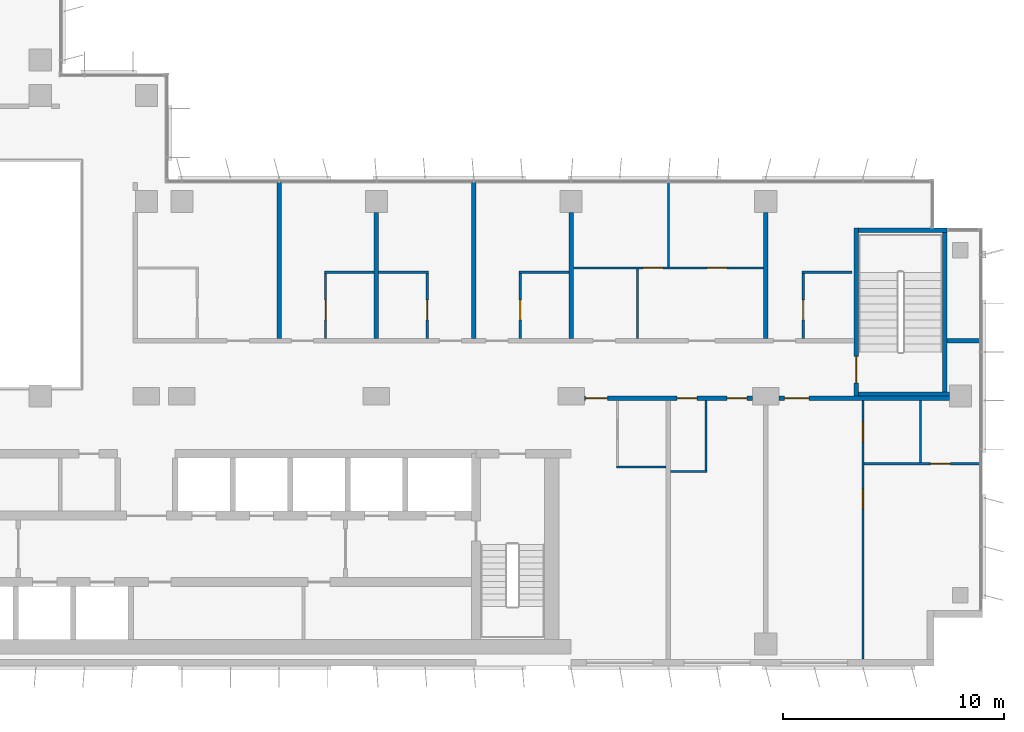
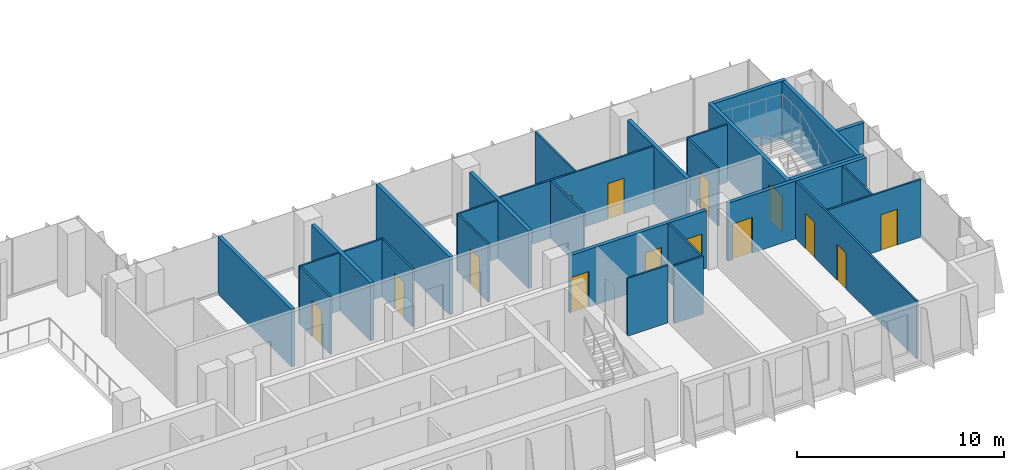
# One storey, part 15 of 21: 29 walls, 14 doors, 14 openings.
"""IFC4 building model written with IfcOpenShell, lengths in metres."""

from ifc_helpers import new_model, si_unit, direction, frame, frame_2d, origin, place, context, subcontext, project, spatial, rectangle, extrude, material, layer, layer_set, type_object, element, fill, save


model = new_model("IFC4")

# Units and contexts
model_context = context("Model", 3, precision=1e-05, world=origin(), true_north=direction((0.0, 1.0)))
body_context = subcontext(model_context, "Body", "Model", "MODEL_VIEW")
ifc_project = project(units=[si_unit("LENGTHUNIT", "METRE"), si_unit("AREAUNIT", "SQUARE_METRE"), si_unit("VOLUMEUNIT", "CUBIC_METRE"), si_unit("PLANEANGLEUNIT", "RADIAN"), si_unit("MASSUNIT", "GRAM", prefix="KILO")], contexts=[model_context])

# Site, building, storey
site_placement = place(None, origin())
site = spatial("IfcSite", under=ifc_project, at=site_placement, CompositionType="ELEMENT")
building_placement = place(site_placement, origin())
building = spatial("IfcBuilding", under=site, at=building_placement, Name="Kemantara Hotel Tower", CompositionType="ELEMENT")
storey_placement = place(building_placement, frame((0.0, 0.0, 211.699951171875)))
storey = spatial("IfcBuildingStorey", under=building, at=storey_placement, Name="L52", CompositionType="ELEMENT", Elevation=211.699951171875)

# Wall, openings, doors
ifc_material_1 = material(Name="Gypsum board partition, steel studs and mineral wool, 200 mm", Category="steel")
ifc_layer_1 = layer(ifc_material_1, 0.199951171875)
ifc_layer_set_1 = layer_set([ifc_layer_1], Name="Gypsum board partition, steel studs and mineral wool, 200 mm")
wall_type_1 = type_object("IfcWallType", Name="CORRIDOR WALL 200", PredefinedType="PARTITIONING", material=ifc_layer_set_1)
wall_1_placement = place(storey_placement, frame((53.199951171875, 12.10009765625, 0.0), z_axis=(0.0, 0.0, 1.0), x_axis=(-1.0, 0.0, 0.0)))
wall_1 = element("IfcWall", 1, at=wall_1_placement, inside=storey, type_object=wall_type_1, Name="CORRIDOR WALL 200 001", PredefinedType="PARTITIONING", context=body_context, shape_type="SweptSolid", body=[
    extrude(rectangle(XDim=7.599853515625, YDim=0.199951171875, at=frame_2d((3.7998046875, 0.0))), origin(), (0.0, 0.0, 1.0), 3.400146484375),
])
opening_1_placement = place(wall_1_placement, frame((6.5498046875, 0.0, 0.0)))
opening_1 = element("IfcOpeningElement", 2, at=opening_1_placement, cuts=wall_1, Name="Opening F25-001", PredefinedType="OPENING", context=body_context, shape_type="SweptSolid", body=[
    extrude(rectangle(XDim=1.0, YDim=2.10009765625, at=frame_2d((0.5, 1.050048828125))), frame((0.0, 0.10986328125, 0.0), z_axis=(0.0, -1.0, 0.0), x_axis=(1.0, 0.0, 0.0)), (0.0, 0.0, 1.0), 0.219970703125),
])
opening_2_placement = place(wall_1_placement, frame((0.25, 0.0, 0.0)))
opening_2 = element("IfcOpeningElement", 3, at=opening_2_placement, cuts=wall_1, Name="Opening F25-003", PredefinedType="OPENING", context=body_context, shape_type="SweptSolid", body=[
    extrude(rectangle(XDim=0.89990234375, YDim=2.10009765625, at=frame_2d((0.449951171875, 1.050048828125))), frame((0.0, 0.10986328125, 0.0), z_axis=(0.0, -1.0, 0.0), x_axis=(1.0, 0.0, 0.0)), (0.0, 0.0, 1.0), 0.219970703125),
])
opening_3_placement = place(wall_1_placement, frame((2.5, 0.0, 0.0)))
opening_3 = element("IfcOpeningElement", 4, at=opening_3_placement, cuts=wall_1, Name="Opening F25-004", PredefinedType="OPENING", context=body_context, shape_type="SweptSolid", body=[
    extrude(rectangle(XDim=0.89990234375, YDim=2.10009765625, at=frame_2d((0.449951171875, 1.050048828125))), frame((0.0, 0.10986328125, 0.0), z_axis=(0.0, -1.0, 0.0), x_axis=(1.0, 0.0, 0.0)), (0.0, 0.0, 1.0), 0.219970703125),
])
ifc_material_2 = material(Name="Hardwood veneer door leaf with steel frame", Category="steel")
door_type_1 = type_object("IfcDoorType", Name="GUEST ROOM DOOR 1000 X 2100 FD30S", OperationType="NOTDEFINED", PredefinedType="DOOR", material=ifc_material_2)
door_1_placement = place(opening_1_placement, origin())
door_1 = element("IfcDoor", 5, at=door_1_placement, inside=storey, type_object=door_type_1, Name="GUEST ROOM DOOR F25-001", OperationType="SINGLE_SWING_RIGHT", OverallHeight=2.10009765625, OverallWidth=1.0, PredefinedType="DOOR", context=body_context, shape_type="SweptSolid", body=[
    extrude(rectangle(XDim=1.0, YDim=2.10009765625, at=frame_2d((0.5, 1.050048828125))), frame((0.0, 0.02490234375, 0.0), z_axis=(0.0, -1.0, 0.0), x_axis=(1.0, 0.0, 0.0)), (0.0, 0.0, 1.0), 0.050048828125),
])
fill(opening_1, door_1)
ifc_material_3 = material(Name="Steel door leaf with steel frame", Category="steel")
door_type_2 = type_object("IfcDoorType", Name="SERVICE ROOM DOOR 900 X 2100 FD60", OperationType="NOTDEFINED", PredefinedType="DOOR", material=ifc_material_3)
door_2_placement = place(opening_2_placement, origin())
door_2 = element("IfcDoor", 6, at=door_2_placement, inside=storey, type_object=door_type_2, Name="SERVICE ROOM DOOR F25-003", OperationType="SINGLE_SWING_LEFT", OverallHeight=2.10009765625, OverallWidth=0.89990234375, PredefinedType="DOOR", context=body_context, shape_type="SweptSolid", body=[
    extrude(rectangle(XDim=0.89990234375, YDim=2.10009765625, at=frame_2d((0.449951171875, 1.050048828125))), frame((0.0, 0.02490234375, 0.0), z_axis=(0.0, -1.0, 0.0), x_axis=(1.0, 0.0, 0.0)), (0.0, 0.0, 1.0), 0.050048828125),
])
fill(opening_2, door_2)
door_3_placement = place(opening_3_placement, origin())
door_3 = element("IfcDoor", 7, at=door_3_placement, inside=storey, type_object=door_type_2, Name="SERVICE ROOM DOOR F25-004", OperationType="SINGLE_SWING_RIGHT", OverallHeight=2.10009765625, OverallWidth=0.89990234375, PredefinedType="DOOR", context=body_context, shape_type="SweptSolid", body=[
    extrude(rectangle(XDim=0.89990234375, YDim=2.10009765625, at=frame_2d((0.449951171875, 1.050048828125))), frame((0.0, 0.02490234375, 0.0), z_axis=(0.0, -1.0, 0.0), x_axis=(1.0, 0.0, 0.0)), (0.0, 0.0, 1.0), 0.050048828125),
])
fill(opening_3, door_3)

# Wall, opening, door
wall_2_placement = place(storey_placement, frame((62.099853515625, 12.10009765625, 0.0), z_axis=(0.0, 0.0, 1.0), x_axis=(-1.0, 0.0, 0.0)))
wall_2 = element("IfcWall", 8, at=wall_2_placement, inside=storey, type_object=wall_type_1, Name="CORRIDOR WALL 200 002", PredefinedType="PARTITIONING", context=body_context, shape_type="SweptSolid", body=[
    extrude(rectangle(XDim=7.69970703125, YDim=0.199951171875, at=frame_2d((3.849853515625, 0.0))), origin(), (0.0, 0.0, 1.0), 3.400146484375),
])
opening_4_placement = place(wall_2_placement, frame((6.349853515625, 0.0, 0.0)))
opening_4 = element("IfcOpeningElement", 9, at=opening_4_placement, cuts=wall_2, Name="Opening F25-005", PredefinedType="OPENING", context=body_context, shape_type="SweptSolid", body=[
    extrude(rectangle(XDim=1.10009765625, YDim=2.10009765625, at=frame_2d((0.550048828125, 1.050048828125))), frame((0.0, 0.10986328125, 0.0), z_axis=(0.0, -1.0, 0.0), x_axis=(1.0, 0.0, 0.0)), (0.0, 0.0, 1.0), 0.219970703125),
])
door_type_3 = type_object("IfcDoorType", Name="SUITE ENTRANCE DOOR 1100 X 2100 FD30S", OperationType="NOTDEFINED", PredefinedType="DOOR", material=ifc_material_2)
door_4_placement = place(opening_4_placement, origin())
door_4 = element("IfcDoor", 10, at=door_4_placement, inside=storey, type_object=door_type_3, Name="SUITE ENTRANCE DOOR F25-005", OperationType="SINGLE_SWING_RIGHT", OverallHeight=2.10009765625, OverallWidth=1.10009765625, PredefinedType="DOOR", context=body_context, shape_type="SweptSolid", body=[
    extrude(rectangle(XDim=1.10009765625, YDim=2.10009765625, at=frame_2d((0.550048828125, 1.050048828125))), frame((0.0, 0.02490234375, 0.0), z_axis=(0.0, -1.0, 0.0), x_axis=(1.0, 0.0, 0.0)), (0.0, 0.0, 1.0), 0.050048828125),
])
fill(opening_4, door_4)

# Wall
wall_3_placement = place(storey_placement, frame((62.0, 14.699951171875, 0.0), z_axis=(0.0, 0.0, 1.0), x_axis=(1.0, 0.0, 0.0)))
element("IfcWall", 11, at=wall_3_placement, inside=storey, type_object=wall_type_1, Name="CORRIDOR WALL 200 007", PredefinedType="PARTITIONING", context=body_context, shape_type="SweptSolid", body=[
    extrude(rectangle(XDim=1.47998046875, YDim=0.199951171875, at=frame_2d((0.739990234375, 0.0))), origin(), (0.0, 0.0, 1.0), 3.400146484375),
])

# Wall, opening, door
ifc_material_4 = material(Name="Concrete fc 40 MPa", Category="concrete")
ifc_layer_2 = layer(ifc_material_4, 0.199951171875)
ifc_layer_set_2 = layer_set([ifc_layer_2], Name="Concrete fc 40 MPa")
wall_type_2 = type_object("IfcWallType", Name="Concrete stair wall 200 mm", PredefinedType="SHEAR", material=ifc_layer_set_2)
wall_4_placement = place(storey_placement, frame((57.89990234375, 12.199951171875, 0.0), z_axis=(0.0, 0.0, 1.0), x_axis=(0.0, 1.0, 0.0)))
wall_4 = element("IfcWall", 12, at=wall_4_placement, inside=storey, type_object=wall_type_2, Name="Stair ST3 enclosure wall with door", PredefinedType="SHEAR", context=body_context, shape_type="SweptSolid", body=[
    extrude(rectangle(XDim=7.60009765625, YDim=0.199951171875, at=frame_2d((3.800048828125, 0.0))), origin(), (0.0, 0.0, 1.0), 3.400146484375),
])
opening_5_placement = place(wall_4_placement, frame((0.60009765625, 0.0, 0.0)))
opening_5 = element("IfcOpeningElement", 13, at=opening_5_placement, cuts=wall_4, Name="Opening ST3-C", PredefinedType="OPENING", context=body_context, shape_type="SweptSolid", body=[
    extrude(rectangle(XDim=1.199951171875, YDim=2.10009765625, at=frame_2d((0.60009765625, 1.050048828125))), frame((0.0, 0.10986328125, 0.0), z_axis=(0.0, -1.0, 0.0), x_axis=(1.0, 0.0, 0.0)), (0.0, 0.0, 1.0), 0.219970703125),
])
ifc_material_5 = material(Name="Steel fire door", Category="steel")
door_type_4 = type_object("IfcDoorType", Name="Fire door FD90 1200 x 2100", OperationType="NOTDEFINED", PredefinedType="DOOR", material=ifc_material_5)
door_5_placement = place(opening_5_placement, frame((1.199951171875, 0.0, 0.0), z_axis=(0.0, 0.0, 1.0), x_axis=(-1.0, 0.0, 0.0)))
door_5 = element("IfcDoor", 14, at=door_5_placement, inside=storey, type_object=door_type_4, Name="Stair ST3 door", OperationType="SINGLE_SWING_RIGHT", OverallHeight=2.10009765625, OverallWidth=1.199951171875, PredefinedType="DOOR", context=body_context, shape_type="SweptSolid", body=[
    extrude(rectangle(XDim=1.199951171875, YDim=2.10009765625, at=frame_2d((0.60009765625, 1.050048828125))), frame((0.0, 0.02490234375, 0.0), z_axis=(0.0, -1.0, 0.0), x_axis=(1.0, 0.0, 0.0)), (0.0, 0.0, 1.0), 0.050048828125),
])
fill(opening_5, door_5)

# Walls
wall_5_placement = place(storey_placement, frame((58.0, 19.699951171875, 0.0), z_axis=(0.0, 0.0, 1.0), x_axis=(1.0, 0.0, 0.0)))
element("IfcWall", 15, at=wall_5_placement, inside=storey, type_object=wall_type_2, Name="Stair ST3 enclosure wall N", PredefinedType="SHEAR", context=body_context, shape_type="SweptSolid", body=[
    extrude(rectangle(XDim=4.0, YDim=0.199951171875, at=frame_2d((2.0, 0.0))), origin(), (0.0, 0.0, 1.0), 3.400146484375),
])
wall_6_placement = place(storey_placement, frame((58.0, 12.300048828125, 0.0), z_axis=(0.0, 0.0, 1.0), x_axis=(1.0, 0.0, 0.0)))
element("IfcWall", 16, at=wall_6_placement, inside=storey, type_object=wall_type_2, Name="Stair ST3 enclosure wall S", PredefinedType="SHEAR", context=body_context, shape_type="SweptSolid", body=[
    extrude(rectangle(XDim=4.10009765625, YDim=0.199951171875, at=frame_2d((2.050048828125, 0.0))), origin(), (0.0, 0.0, 1.0), 3.400146484375),
])
wall_7_placement = place(storey_placement, frame((61.89990234375, 12.39990234375, 0.0), z_axis=(0.0, 0.0, 1.0), x_axis=(0.0, 1.0, 0.0)))
element("IfcWall", 17, at=wall_7_placement, inside=storey, type_object=wall_type_2, Name="Stair ST3 enclosure wall E", PredefinedType="SHEAR", context=body_context, shape_type="SweptSolid", body=[
    extrude(rectangle(XDim=7.2001953125, YDim=0.199951171875, at=frame_2d((3.60009765625, 0.0))), origin(), (0.0, 0.0, 1.0), 3.400146484375),
])
ifc_layer_3 = layer(ifc_material_1, 0.199951171875)
ifc_layer_set_3 = layer_set([ifc_layer_3], Name="Gypsum board partition, steel studs and mineral wool, 200 mm")
wall_type_3 = type_object("IfcWallType", Name="GUEST ROOM PARTY WALL 200", PredefinedType="PARTITIONING", material=ifc_layer_set_3)
wall_8_placement = place(storey_placement, frame((53.800048828125, 14.800048828125, 0.0), z_axis=(0.0, 0.0, 1.0), x_axis=(0.0, 1.0, 0.0)))
element("IfcWall", 18, at=wall_8_placement, inside=storey, type_object=wall_type_3, Name="GUEST ROOM PARTY WALL 200 005", PredefinedType="PARTITIONING", context=body_context, shape_type="SweptSolid", body=[
    extrude(rectangle(XDim=5.699951171875, YDim=0.199951171875, at=frame_2d((2.85009765625, 0.0))), origin(), (0.0, 0.0, 1.0), 3.400146484375),
])
wall_9_placement = place(storey_placement, frame((31.800048828125, 14.800048828125, 0.0), z_axis=(0.0, 0.0, 1.0), x_axis=(0.0, 1.0, 0.0)))
element("IfcWall", 19, at=wall_9_placement, inside=storey, type_object=wall_type_3, Name="GUEST ROOM PARTY WALL 200 010", PredefinedType="PARTITIONING", context=body_context, shape_type="SweptSolid", body=[
    extrude(rectangle(XDim=7.070068359375, YDim=0.199951171875, at=frame_2d((3.53515625, 0.0))), origin(), (0.0, 0.0, 1.0), 3.400146484375),
])
wall_10_placement = place(storey_placement, frame((36.199951171875, 14.800048828125, 0.0), z_axis=(0.0, 0.0, 1.0), x_axis=(0.0, 1.0, 0.0)))
element("IfcWall", 20, at=wall_10_placement, inside=storey, type_object=wall_type_3, Name="GUEST ROOM PARTY WALL 200 011", PredefinedType="PARTITIONING", context=body_context, shape_type="SweptSolid", body=[
    extrude(rectangle(XDim=5.699951171875, YDim=0.199951171875, at=frame_2d((2.85009765625, 0.0))), origin(), (0.0, 0.0, 1.0), 3.400146484375),
])
wall_11_placement = place(storey_placement, frame((40.60009765625, 14.800048828125, 0.0), z_axis=(0.0, 0.0, 1.0), x_axis=(0.0, 1.0, 0.0)))
element("IfcWall", 21, at=wall_11_placement, inside=storey, type_object=wall_type_3, Name="GUEST ROOM PARTY WALL 200 012", PredefinedType="PARTITIONING", context=body_context, shape_type="SweptSolid", body=[
    extrude(rectangle(XDim=7.070068359375, YDim=0.199951171875, at=frame_2d((3.53515625, 0.0))), origin(), (0.0, 0.0, 1.0), 3.400146484375),
])
wall_12_placement = place(storey_placement, frame((45.0, 14.800048828125, 0.0), z_axis=(0.0, 0.0, 1.0), x_axis=(0.0, 1.0, 0.0)))
element("IfcWall", 22, at=wall_12_placement, inside=storey, type_object=wall_type_3, Name="GUEST ROOM PARTY WALL 200 013", PredefinedType="PARTITIONING", context=body_context, shape_type="SweptSolid", body=[
    extrude(rectangle(XDim=5.699951171875, YDim=0.199951171875, at=frame_2d((2.85009765625, 0.0))), origin(), (0.0, 0.0, 1.0), 3.400146484375),
])
ifc_material_6 = material(Name="Gypsum board partition on steel studs, 100 mm", Category="steel")
ifc_layer_4 = layer(ifc_material_6, 0.10009765625)
ifc_layer_set_4 = layer_set([ifc_layer_4], Name="Gypsum board partition on steel studs, 100 mm")
wall_type_4 = type_object("IfcWallType", Name="ROOM PARTITION 100", PredefinedType="PARTITIONING", material=ifc_layer_set_4)
wall_13_placement = place(storey_placement, frame((47.050048828125, 9.0, 0.0), z_axis=(0.0, 0.0, 1.0), x_axis=(1.0, 0.0, 0.0)))
element("IfcWall", 23, at=wall_13_placement, inside=storey, type_object=wall_type_4, Name="ROOM PARTITION 100 032", PredefinedType="PARTITIONING", context=body_context, shape_type="SweptSolid", body=[
    extrude(rectangle(XDim=2.25, YDim=0.10009765625, at=frame_2d((1.125, 0.0))), origin(), (0.0, 0.0, 1.0), 3.400146484375),
])
wall_14_placement = place(storey_placement, frame((49.5, 8.800048828125, 0.0), z_axis=(0.0, 0.0, 1.0), x_axis=(1.0, 0.0, 0.0)))
element("IfcWall", 24, at=wall_14_placement, inside=storey, type_object=wall_type_4, Name="ROOM PARTITION 100 034", PredefinedType="PARTITIONING", context=body_context, shape_type="SweptSolid", body=[
    extrude(rectangle(XDim=1.64990234375, YDim=0.10009765625, at=frame_2d((0.824951171875, 0.0))), origin(), (0.0, 0.0, 1.0), 3.400146484375),
])
wall_15_placement = place(storey_placement, frame((51.10009765625, 8.85009765625, 0.0), z_axis=(0.0, 0.0, 1.0), x_axis=(0.0, 1.0, 0.0)))
element("IfcWall", 25, at=wall_15_placement, inside=storey, type_object=wall_type_4, Name="ROOM PARTITION 100 035", PredefinedType="PARTITIONING", context=body_context, shape_type="SweptSolid", body=[
    extrude(rectangle(XDim=3.14990234375, YDim=0.10009765625, at=frame_2d((1.574951171875, 0.0))), origin(), (0.0, 0.0, 1.0), 3.400146484375),
])

# Wall, opening, door
wall_16_placement = place(storey_placement, frame((58.25, 9.14990234375, 0.0), z_axis=(0.0, 0.0, 1.0), x_axis=(1.0, 0.0, 0.0)))
wall_16 = element("IfcWall", 26, at=wall_16_placement, inside=storey, type_object=wall_type_4, Name="ROOM PARTITION 100 036", PredefinedType="PARTITIONING", context=body_context, shape_type="SweptSolid", body=[
    extrude(rectangle(XDim=5.219970703125, YDim=0.10009765625, at=frame_2d((2.60986328125, 0.0))), origin(), (0.0, 0.0, 1.0), 3.400146484375),
])
opening_6_placement = place(wall_16_placement, frame((3.0, 0.0, 0.0)))
opening_6 = element("IfcOpeningElement", 27, at=opening_6_placement, cuts=wall_16, Name="Opening F25-008", PredefinedType="OPENING", context=body_context, shape_type="SweptSolid", body=[
    extrude(rectangle(XDim=0.89990234375, YDim=2.10009765625, at=frame_2d((0.449951171875, 1.050048828125))), frame((0.0, 0.06005859375, 0.0), z_axis=(0.0, -1.0, 0.0), x_axis=(1.0, 0.0, 0.0)), (0.0, 0.0, 1.0), 0.1201171875),
])
door_type_5 = type_object("IfcDoorType", Name="BATHROOM DOOR 900 X 2100", OperationType="NOTDEFINED", PredefinedType="DOOR", material=ifc_material_2)
door_6_placement = place(opening_6_placement, origin())
door_6 = element("IfcDoor", 28, at=door_6_placement, inside=storey, type_object=door_type_5, Name="BATHROOM DOOR F25-008", OperationType="SINGLE_SWING_LEFT", OverallHeight=2.10009765625, OverallWidth=0.89990234375, PredefinedType="DOOR", context=body_context, shape_type="SweptSolid", body=[
    extrude(rectangle(XDim=0.89990234375, YDim=2.10009765625, at=frame_2d((0.449951171875, 1.050048828125))), frame((0.0, 0.02490234375, 0.0), z_axis=(0.0, -1.0, 0.0), x_axis=(1.0, 0.0, 0.0)), (0.0, 0.0, 1.0), 0.050048828125),
])
fill(opening_6, door_6)

# Wall, openings, doors
wall_17_placement = place(storey_placement, frame((58.199951171875, 0.31005859375, 0.0), z_axis=(0.0, 0.0, 1.0), x_axis=(0.0, 1.0, 0.0)))
wall_17 = element("IfcWall", 29, at=wall_17_placement, inside=storey, type_object=wall_type_4, Name="ROOM PARTITION 100 037", PredefinedType="PARTITIONING", context=body_context, shape_type="SweptSolid", body=[
    extrude(rectangle(XDim=11.68994140625, YDim=0.10009765625, at=frame_2d((5.844970703125, 0.0))), origin(), (0.0, 0.0, 1.0), 3.400146484375),
])
opening_7_placement = place(wall_17_placement, frame((9.840087890625, 0.0, 0.0)))
opening_7 = element("IfcOpeningElement", 30, at=opening_7_placement, cuts=wall_17, Name="Opening F25-006", PredefinedType="OPENING", context=body_context, shape_type="SweptSolid", body=[
    extrude(rectangle(XDim=0.89990234375, YDim=2.10009765625, at=frame_2d((0.449951171875, 1.050048828125))), frame((0.0, 0.06005859375, 0.0), z_axis=(0.0, -1.0, 0.0), x_axis=(1.0, 0.0, 0.0)), (0.0, 0.0, 1.0), 0.1201171875),
])
opening_8_placement = place(wall_17_placement, frame((6.7900390625, 0.0, 0.0)))
opening_8 = element("IfcOpeningElement", 31, at=opening_8_placement, cuts=wall_17, Name="Opening F25-007", PredefinedType="OPENING", context=body_context, shape_type="SweptSolid", body=[
    extrude(rectangle(XDim=0.89990234375, YDim=2.10009765625, at=frame_2d((0.449951171875, 1.050048828125))), frame((0.0, 0.06005859375, 0.0), z_axis=(0.0, -1.0, 0.0), x_axis=(1.0, 0.0, 0.0)), (0.0, 0.0, 1.0), 0.1201171875),
])
door_type_6 = type_object("IfcDoorType", Name="INTERNAL DOOR 900 X 2100", OperationType="NOTDEFINED", PredefinedType="DOOR", material=ifc_material_2)
door_7_placement = place(opening_8_placement, frame((0.89990234375, 0.0, 0.0), z_axis=(0.0, 0.0, 1.0), x_axis=(-1.0, 0.0, 0.0)))
door_7 = element("IfcDoor", 32, at=door_7_placement, inside=storey, type_object=door_type_6, Name="INTERNAL DOOR F25-007", OperationType="SINGLE_SWING_RIGHT", OverallHeight=2.10009765625, OverallWidth=0.89990234375, PredefinedType="DOOR", context=body_context, shape_type="SweptSolid", body=[
    extrude(rectangle(XDim=0.89990234375, YDim=2.10009765625, at=frame_2d((0.449951171875, 1.050048828125))), frame((0.0, 0.02490234375, 0.0), z_axis=(0.0, -1.0, 0.0), x_axis=(1.0, 0.0, 0.0)), (0.0, 0.0, 1.0), 0.050048828125),
])
fill(opening_8, door_7)
door_type_7 = type_object("IfcDoorType", Name="PANTRY DOOR 900 X 2100", OperationType="NOTDEFINED", PredefinedType="DOOR", material=ifc_material_2)
door_8_placement = place(opening_7_placement, origin())
door_8 = element("IfcDoor", 33, at=door_8_placement, inside=storey, type_object=door_type_7, Name="PANTRY DOOR F25-006", OperationType="SINGLE_SWING_RIGHT", OverallHeight=2.10009765625, OverallWidth=0.89990234375, PredefinedType="DOOR", context=body_context, shape_type="SweptSolid", body=[
    extrude(rectangle(XDim=0.89990234375, YDim=2.10009765625, at=frame_2d((0.449951171875, 1.050048828125))), frame((0.0, 0.02490234375, 0.0), z_axis=(0.0, -1.0, 0.0), x_axis=(1.0, 0.0, 0.0)), (0.0, 0.0, 1.0), 0.050048828125),
])
fill(opening_7, door_8)

# Wall
wall_18_placement = place(storey_placement, frame((60.800048828125, 9.199951171875, 0.0), z_axis=(0.0, 0.0, 1.0), x_axis=(0.0, 1.0, 0.0)))
element("IfcWall", 34, at=wall_18_placement, inside=storey, type_object=wall_type_4, Name="ROOM PARTITION 100 038", PredefinedType="PARTITIONING", context=body_context, shape_type="SweptSolid", body=[
    extrude(rectangle(XDim=2.800048828125, YDim=0.10009765625, at=frame_2d((1.39990234375, 0.0))), origin(), (0.0, 0.0, 1.0), 3.400146484375),
])

# Wall, openings, doors
wall_19_placement = place(storey_placement, frame((45.10009765625, 18.0, 0.0), z_axis=(0.0, 0.0, 1.0), x_axis=(1.0, 0.0, 0.0)))
wall_19 = element("IfcWall", 35, at=wall_19_placement, inside=storey, type_object=wall_type_4, Name="ROOM PARTITION 100 040", PredefinedType="PARTITIONING", context=body_context, shape_type="SweptSolid", body=[
    extrude(rectangle(XDim=8.599853515625, YDim=0.10009765625, at=frame_2d((4.2998046875, 0.0))), origin(), (0.0, 0.0, 1.0), 3.400146484375),
])
opening_9_placement = place(wall_19_placement, frame((3.14990234375, 0.0, 0.0)))
opening_9 = element("IfcOpeningElement", 36, at=opening_9_placement, cuts=wall_19, Name="Opening F25-019", PredefinedType="OPENING", context=body_context, shape_type="SweptSolid", body=[
    extrude(rectangle(XDim=0.89990234375, YDim=2.10009765625, at=frame_2d((0.449951171875, 1.050048828125))), frame((0.0, 0.06005859375, 0.0), z_axis=(0.0, -1.0, 0.0), x_axis=(1.0, 0.0, 0.0)), (0.0, 0.0, 1.0), 0.1201171875),
])
opening_10_placement = place(wall_19_placement, frame((6.050048828125, 0.0, 0.0)))
opening_10 = element("IfcOpeningElement", 37, at=opening_10_placement, cuts=wall_19, Name="Opening F25-020", PredefinedType="OPENING", context=body_context, shape_type="SweptSolid", body=[
    extrude(rectangle(XDim=0.89990234375, YDim=2.10009765625, at=frame_2d((0.449951171875, 1.050048828125))), frame((0.0, 0.06005859375, 0.0), z_axis=(0.0, -1.0, 0.0), x_axis=(1.0, 0.0, 0.0)), (0.0, 0.0, 1.0), 0.1201171875),
])
door_9_placement = place(opening_9_placement, origin())
door_9 = element("IfcDoor", 38, at=door_9_placement, inside=storey, type_object=door_type_6, Name="INTERNAL DOOR F25-019", OperationType="SINGLE_SWING_LEFT", OverallHeight=2.10009765625, OverallWidth=0.89990234375, PredefinedType="DOOR", context=body_context, shape_type="SweptSolid", body=[
    extrude(rectangle(XDim=0.89990234375, YDim=2.10009765625, at=frame_2d((0.449951171875, 1.050048828125))), frame((0.0, 0.02490234375, 0.0), z_axis=(0.0, -1.0, 0.0), x_axis=(1.0, 0.0, 0.0)), (0.0, 0.0, 1.0), 0.050048828125),
])
fill(opening_9, door_9)
door_10_placement = place(opening_10_placement, origin())
door_10 = element("IfcDoor", 39, at=door_10_placement, inside=storey, type_object=door_type_6, Name="INTERNAL DOOR F25-020", OperationType="SINGLE_SWING_LEFT", OverallHeight=2.10009765625, OverallWidth=0.89990234375, PredefinedType="DOOR", context=body_context, shape_type="SweptSolid", body=[
    extrude(rectangle(XDim=0.89990234375, YDim=2.10009765625, at=frame_2d((0.449951171875, 1.050048828125))), frame((0.0, 0.02490234375, 0.0), z_axis=(0.0, -1.0, 0.0), x_axis=(1.0, 0.0, 0.0)), (0.0, 0.0, 1.0), 0.050048828125),
])
fill(opening_10, door_10)

# Walls
for number, where, z_axis, x_axis, name in (
    (40, (33.85009765625, 17.800048828125, 0.0), (0.0, 0.0, 1.0), (1.0, 0.0, 0.0), "ROOM PARTITION 100 042"),
    (41, (36.300048828125, 17.800048828125, 0.0), (0.0, 0.0, 1.0), (1.0, 0.0, 0.0), "ROOM PARTITION 100 043"),
    (42, (42.64990234375, 17.800048828125, 0.0), (0.0, 0.0, 1.0), (1.0, 0.0, 0.0), "ROOM PARTITION 100 044"),
    (43, (55.449951171875, 17.800048828125, 0.0), (0.0, 0.0, 1.0), (1.0, 0.0, 0.0), "ROOM PARTITION 100 045"),
):
    element("IfcWall", number, at=place(storey_placement, frame(where, z_axis=z_axis, x_axis=x_axis)), inside=storey, type_object=wall_type_4, Name=name, PredefinedType="PARTITIONING", context=body_context, shape_type="SweptSolid", body=[
        extrude(rectangle(XDim=2.25, YDim=0.10009765625, at=frame_2d((1.125, 0.0))), origin(), (0.0, 0.0, 1.0), 3.400146484375),
    ])

# Wall, opening, door
wall_20_placement = place(storey_placement, frame((33.89990234375, 17.75, 0.0), z_axis=(0.0, 0.0, 1.0), x_axis=(0.0, -1.0, 0.0)))
wall_20 = element("IfcWall", 44, at=wall_20_placement, inside=storey, type_object=wall_type_4, Name="ROOM PARTITION 100 046", PredefinedType="PARTITIONING", context=body_context, shape_type="SweptSolid", body=[
    extrude(rectangle(XDim=2.949951171875, YDim=0.10009765625, at=frame_2d((1.47509765625, 0.0))), origin(), (0.0, 0.0, 1.0), 3.400146484375),
])
opening_11_placement = place(wall_20_placement, frame((1.199951171875, 0.0, 0.0)))
opening_11 = element("IfcOpeningElement", 45, at=opening_11_placement, cuts=wall_20, Name="Opening F25-012", PredefinedType="OPENING", context=body_context, shape_type="SweptSolid", body=[
    extrude(rectangle(XDim=0.89990234375, YDim=2.10009765625, at=frame_2d((0.449951171875, 1.050048828125))), frame((0.0, 0.06005859375, 0.0), z_axis=(0.0, -1.0, 0.0), x_axis=(1.0, 0.0, 0.0)), (0.0, 0.0, 1.0), 0.1201171875),
])
door_11_placement = place(opening_11_placement, origin())
door_11 = element("IfcDoor", 46, at=door_11_placement, inside=storey, type_object=door_type_5, Name="BATHROOM DOOR F25-012", OperationType="SINGLE_SWING_RIGHT", OverallHeight=2.10009765625, OverallWidth=0.89990234375, PredefinedType="DOOR", context=body_context, shape_type="SweptSolid", body=[
    extrude(rectangle(XDim=0.89990234375, YDim=2.10009765625, at=frame_2d((0.449951171875, 1.050048828125))), frame((0.0, 0.02490234375, 0.0), z_axis=(0.0, -1.0, 0.0), x_axis=(1.0, 0.0, 0.0)), (0.0, 0.0, 1.0), 0.050048828125),
])
fill(opening_11, door_11)

wall_21_placement = place(storey_placement, frame((38.5, 14.800048828125, 0.0), z_axis=(0.0, 0.0, 1.0), x_axis=(0.0, 1.0, 0.0)))
wall_21 = element("IfcWall", 47, at=wall_21_placement, inside=storey, type_object=wall_type_4, Name="ROOM PARTITION 100 047", PredefinedType="PARTITIONING", context=body_context, shape_type="SweptSolid", body=[
    extrude(rectangle(XDim=2.949951171875, YDim=0.10009765625, at=frame_2d((1.47509765625, 0.0))), origin(), (0.0, 0.0, 1.0), 3.400146484375),
])
opening_12_placement = place(wall_21_placement, frame((0.85009765625, 0.0, 0.0)))
opening_12 = element("IfcOpeningElement", 48, at=opening_12_placement, cuts=wall_21, Name="Opening F25-014", PredefinedType="OPENING", context=body_context, shape_type="SweptSolid", body=[
    extrude(rectangle(XDim=0.89990234375, YDim=2.10009765625, at=frame_2d((0.449951171875, 1.050048828125))), frame((0.0, 0.06005859375, 0.0), z_axis=(0.0, -1.0, 0.0), x_axis=(1.0, 0.0, 0.0)), (0.0, 0.0, 1.0), 0.1201171875),
])
door_12_placement = place(opening_12_placement, origin())
door_12 = element("IfcDoor", 49, at=door_12_placement, inside=storey, type_object=door_type_5, Name="BATHROOM DOOR F25-014", OperationType="SINGLE_SWING_LEFT", OverallHeight=2.10009765625, OverallWidth=0.89990234375, PredefinedType="DOOR", context=body_context, shape_type="SweptSolid", body=[
    extrude(rectangle(XDim=0.89990234375, YDim=2.10009765625, at=frame_2d((0.449951171875, 1.050048828125))), frame((0.0, 0.02490234375, 0.0), z_axis=(0.0, -1.0, 0.0), x_axis=(1.0, 0.0, 0.0)), (0.0, 0.0, 1.0), 0.050048828125),
])
fill(opening_12, door_12)

wall_22_placement = place(storey_placement, frame((42.699951171875, 17.75, 0.0), z_axis=(0.0, 0.0, 1.0), x_axis=(0.0, -1.0, 0.0)))
wall_22 = element("IfcWall", 50, at=wall_22_placement, inside=storey, type_object=wall_type_4, Name="ROOM PARTITION 100 048", PredefinedType="PARTITIONING", context=body_context, shape_type="SweptSolid", body=[
    extrude(rectangle(XDim=2.949951171875, YDim=0.10009765625, at=frame_2d((1.47509765625, 0.0))), origin(), (0.0, 0.0, 1.0), 3.400146484375),
])
opening_13_placement = place(wall_22_placement, frame((1.199951171875, 0.0, 0.0)))
opening_13 = element("IfcOpeningElement", 51, at=opening_13_placement, cuts=wall_22, Name="Opening F25-016", PredefinedType="OPENING", context=body_context, shape_type="SweptSolid", body=[
    extrude(rectangle(XDim=0.89990234375, YDim=2.10009765625, at=frame_2d((0.449951171875, 1.050048828125))), frame((0.0, 0.06005859375, 0.0), z_axis=(0.0, -1.0, 0.0), x_axis=(1.0, 0.0, 0.0)), (0.0, 0.0, 1.0), 0.1201171875),
])
door_13_placement = place(opening_13_placement, origin())
door_13 = element("IfcDoor", 52, at=door_13_placement, inside=storey, type_object=door_type_5, Name="BATHROOM DOOR F25-016", OperationType="SINGLE_SWING_RIGHT", OverallHeight=2.10009765625, OverallWidth=0.89990234375, PredefinedType="DOOR", context=body_context, shape_type="SweptSolid", body=[
    extrude(rectangle(XDim=0.89990234375, YDim=2.10009765625, at=frame_2d((0.449951171875, 1.050048828125))), frame((0.0, 0.02490234375, 0.0), z_axis=(0.0, -1.0, 0.0), x_axis=(1.0, 0.0, 0.0)), (0.0, 0.0, 1.0), 0.050048828125),
])
fill(opening_13, door_13)

# Walls
wall_23_placement = place(storey_placement, frame((48.0, 14.800048828125, 0.0), z_axis=(0.0, 0.0, 1.0), x_axis=(0.0, 1.0, 0.0)))
element("IfcWall", 53, at=wall_23_placement, inside=storey, type_object=wall_type_4, Name="ROOM PARTITION 100 049", PredefinedType="PARTITIONING", context=body_context, shape_type="SweptSolid", body=[
    extrude(rectangle(XDim=3.14990234375, YDim=0.10009765625, at=frame_2d((1.574951171875, 0.0))), origin(), (0.0, 0.0, 1.0), 3.400146484375),
])
wall_24_placement = place(storey_placement, frame((49.39990234375, 18.050048828125, 0.0), z_axis=(0.0, 0.0, 1.0), x_axis=(0.0, 1.0, 0.0)))
element("IfcWall", 54, at=wall_24_placement, inside=storey, type_object=wall_type_4, Name="ROOM PARTITION 100 050", PredefinedType="PARTITIONING", context=body_context, shape_type="SweptSolid", body=[
    extrude(rectangle(XDim=3.820068359375, YDim=0.10009765625, at=frame_2d((1.91015625, 0.0))), origin(), (0.0, 0.0, 1.0), 3.400146484375),
])

# Wall, opening, door
wall_25_placement = place(storey_placement, frame((55.5, 17.75, 0.0), z_axis=(0.0, 0.0, 1.0), x_axis=(0.0, -1.0, 0.0)))
wall_25 = element("IfcWall", 55, at=wall_25_placement, inside=storey, type_object=wall_type_4, Name="ROOM PARTITION 100 051", PredefinedType="PARTITIONING", context=body_context, shape_type="SweptSolid", body=[
    extrude(rectangle(XDim=2.949951171875, YDim=0.10009765625, at=frame_2d((1.47509765625, 0.0))), origin(), (0.0, 0.0, 1.0), 3.400146484375),
])
opening_14_placement = place(wall_25_placement, frame((1.199951171875, 0.0, 0.0)))
opening_14 = element("IfcOpeningElement", 56, at=opening_14_placement, cuts=wall_25, Name="Opening F25-022", PredefinedType="OPENING", context=body_context, shape_type="SweptSolid", body=[
    extrude(rectangle(XDim=0.89990234375, YDim=2.10009765625, at=frame_2d((0.449951171875, 1.050048828125))), frame((0.0, 0.06005859375, 0.0), z_axis=(0.0, -1.0, 0.0), x_axis=(1.0, 0.0, 0.0)), (0.0, 0.0, 1.0), 0.1201171875),
])
door_14_placement = place(opening_14_placement, origin())
door_14 = element("IfcDoor", 57, at=door_14_placement, inside=storey, type_object=door_type_5, Name="BATHROOM DOOR F25-022", OperationType="SINGLE_SWING_RIGHT", OverallHeight=2.10009765625, OverallWidth=0.89990234375, PredefinedType="DOOR", context=body_context, shape_type="SweptSolid", body=[
    extrude(rectangle(XDim=0.89990234375, YDim=2.10009765625, at=frame_2d((0.449951171875, 1.050048828125))), frame((0.0, 0.02490234375, 0.0), z_axis=(0.0, -1.0, 0.0), x_axis=(1.0, 0.0, 0.0)), (0.0, 0.0, 1.0), 0.050048828125),
])
fill(opening_14, door_14)

save(model, "model.ifc")
